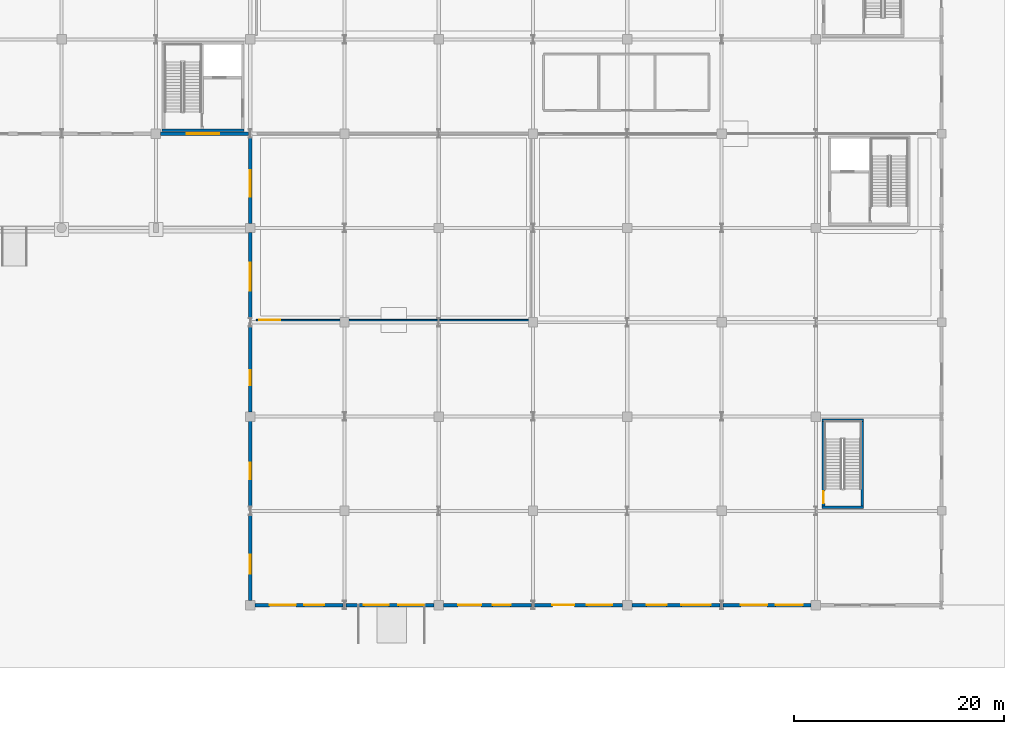
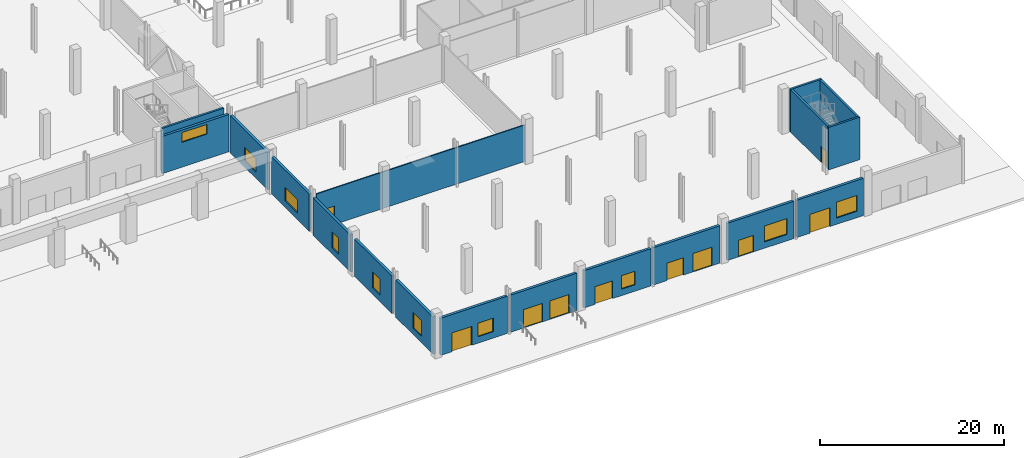
# One storey, part 33 of 58: 18 walls, 10 doors, 10 windows, 20 openings.
"""IFC4 building model written with IfcOpenShell, lengths in metres."""

from ifc_helpers import new_model, si_unit, direction, frame, frame_2d, origin, place, context, subcontext, project, spatial, rectangle, extrude, material, layer, layer_set, type_object, element, fill, save


model = new_model("IFC4")

# Units and contexts
model_context = context("Model", 3, precision=1e-05, world=origin(), true_north=direction((0.0, 1.0)))
body_context = subcontext(model_context, "Body", "Model", "MODEL_VIEW")
ifc_project = project(units=[si_unit("LENGTHUNIT", "METRE"), si_unit("AREAUNIT", "SQUARE_METRE"), si_unit("VOLUMEUNIT", "CUBIC_METRE"), si_unit("PLANEANGLEUNIT", "RADIAN"), si_unit("MASSUNIT", "GRAM", prefix="KILO")], contexts=[model_context])

# Site, building, storey
site_placement = place(None, origin())
site = spatial("IfcSite", under=ifc_project, at=site_placement, CompositionType="ELEMENT")
building_placement = place(site_placement, origin())
building = spatial("IfcBuilding", under=site, at=building_placement, Name="Barlavento Convention Centre", CompositionType="ELEMENT")
storey_placement = place(building_placement, origin())
storey = spatial("IfcBuildingStorey", under=building, at=storey_placement, Name="L00", CompositionType="ELEMENT", Elevation=0.0)

# Wall, opening, window
ifc_material_1 = material(Name="Macau dark grey granite cladding on Concrete C40/50", Category="masonry")
ifc_layer_1 = layer(ifc_material_1, 0.320068359375)
ifc_layer_set_1 = layer_set([ifc_layer_1], Name="ARC-WL-EXT-320")
wall_type_1 = type_object("IfcWallType", Name="ARC-WL-EXT-320", PredefinedType="SOLIDWALL", material=ifc_layer_set_1)
wall_1_placement = place(storey_placement, frame((126.0, 0.445068359375, 0.0), z_axis=(0.0, 0.0, 1.0), x_axis=(0.0, 1.0, 0.0)))
wall_1 = element("IfcWall", 1, at=wall_1_placement, inside=storey, type_object=wall_type_1, Name="L00 exterior wall EW01", PredefinedType="SOLIDWALL", context=body_context, shape_type="SweptSolid", body=[
    extrude(rectangle(XDim=8.15283203125, YDim=0.320068359375, at=frame_2d((4.076416015625, 0.0))), origin(), (0.0, 0.0, 1.0), 4.949951171875),
])
opening_1_placement = place(wall_1_placement, frame((2.554931640625, 0.0, 0.85009765625)))
opening_1 = element("IfcOpeningElement", 2, at=opening_1_placement, cuts=wall_1, Name="Opening WN06", PredefinedType="OPENING", context=body_context, shape_type="SweptSolid", body=[
    extrude(rectangle(XDim=1.800048828125, YDim=2.10009765625, at=frame_2d((0.89990234375, 1.050048828125))), frame((0.0, 0.169921875, 0.0), z_axis=(0.0, -1.0, 0.0), x_axis=(1.0, 0.0, 0.0)), (0.0, 0.0, 1.0), 0.340087890625),
])
ifc_material_2 = material(Name="Double-silver Low-E insulated glass", Category="glass")
window_type_1 = type_object("IfcWindowType", Name="ARC-WN-VIS-1800X2100", PartitioningType="DOUBLE_PANEL_VERTICAL", PredefinedType="WINDOW", material=ifc_material_2)
window_1_placement = place(opening_1_placement, origin())
window_1 = element("IfcWindow", 3, at=window_1_placement, inside=storey, type_object=window_type_1, Name="L00 exterior Low-E window WN06", OverallHeight=2.10009765625, OverallWidth=1.800048828125, PartitioningType="SINGLE_PANEL", PredefinedType="WINDOW", context=body_context, shape_type="SweptSolid", body=[
    extrude(rectangle(XDim=1.800048828125, YDim=2.10009765625, at=frame_2d((0.89990234375, 1.050048828125))), frame((0.0, 0.030029296875, 0.0), z_axis=(0.0, -1.0, 0.0), x_axis=(1.0, 0.0, 0.0)), (0.0, 0.0, 1.0), 0.06005859375),
])
fill(opening_1, window_1)

wall_2_placement = place(storey_placement, frame((126.0, 9.402099609375, 0.0), z_axis=(0.0, 0.0, 1.0), x_axis=(0.0, 1.0, 0.0)))
wall_2 = element("IfcWall", 4, at=wall_2_placement, inside=storey, type_object=wall_type_1, Name="L00 exterior wall EW01", PredefinedType="SOLIDWALL", context=body_context, shape_type="SweptSolid", body=[
    extrude(rectangle(XDim=8.15283203125, YDim=0.320068359375, at=frame_2d((4.076416015625, 0.0))), origin(), (0.0, 0.0, 1.0), 4.949951171875),
])
opening_2_placement = place(wall_2_placement, frame((2.597900390625, 0.0, 0.85009765625)))
opening_2 = element("IfcOpeningElement", 5, at=opening_2_placement, cuts=wall_2, Name="Opening WN07", PredefinedType="OPENING", context=body_context, shape_type="SweptSolid", body=[
    extrude(rectangle(XDim=1.60009765625, YDim=2.10009765625, at=frame_2d((0.800048828125, 1.050048828125))), frame((0.0, 0.169921875, 0.0), z_axis=(0.0, -1.0, 0.0), x_axis=(1.0, 0.0, 0.0)), (0.0, 0.0, 1.0), 0.340087890625),
])
window_type_2 = type_object("IfcWindowType", Name="ARC-WN-VIS-1600X2100", PartitioningType="SINGLE_PANEL", PredefinedType="WINDOW", material=ifc_material_2)
window_2_placement = place(opening_2_placement, origin())
window_2 = element("IfcWindow", 6, at=window_2_placement, inside=storey, type_object=window_type_2, Name="L00 exterior Low-E window WN07", OverallHeight=2.10009765625, OverallWidth=1.60009765625, PartitioningType="SINGLE_PANEL", PredefinedType="WINDOW", context=body_context, shape_type="SweptSolid", body=[
    extrude(rectangle(XDim=1.60009765625, YDim=2.10009765625, at=frame_2d((0.800048828125, 1.050048828125))), frame((0.0, 0.030029296875, 0.0), z_axis=(0.0, -1.0, 0.0), x_axis=(1.0, 0.0, 0.0)), (0.0, 0.0, 1.0), 0.06005859375),
])
fill(opening_2, window_2)

wall_3_placement = place(storey_placement, frame((126.0, 18.445068359375, 0.0), z_axis=(0.0, 0.0, 1.0), x_axis=(0.0, 1.0, 0.0)))
wall_3 = element("IfcWall", 7, at=wall_3_placement, inside=storey, type_object=wall_type_1, Name="L00 exterior wall EW01", PredefinedType="SOLIDWALL", context=body_context, shape_type="SweptSolid", body=[
    extrude(rectangle(XDim=8.15283203125, YDim=0.320068359375, at=frame_2d((4.076416015625, 0.0))), origin(), (0.0, 0.0, 1.0), 4.949951171875),
])
opening_3_placement = place(wall_3_placement, frame((2.554931640625, 0.0, 0.85009765625)))
opening_3 = element("IfcOpeningElement", 8, at=opening_3_placement, cuts=wall_3, Name="Opening WN08", PredefinedType="OPENING", context=body_context, shape_type="SweptSolid", body=[
    extrude(rectangle(XDim=1.39990234375, YDim=2.10009765625, at=frame_2d((0.699951171875, 1.050048828125))), frame((0.0, 0.169921875, 0.0), z_axis=(0.0, -1.0, 0.0), x_axis=(1.0, 0.0, 0.0)), (0.0, 0.0, 1.0), 0.340087890625),
])
window_type_3 = type_object("IfcWindowType", Name="ARC-WN-VIS-1400X2100", PartitioningType="SINGLE_PANEL", PredefinedType="WINDOW", material=ifc_material_2)
window_3_placement = place(opening_3_placement, origin())
window_3 = element("IfcWindow", 9, at=window_3_placement, inside=storey, type_object=window_type_3, Name="L00 exterior Low-E window WN08", OverallHeight=2.10009765625, OverallWidth=1.39990234375, PartitioningType="SINGLE_PANEL", PredefinedType="WINDOW", context=body_context, shape_type="SweptSolid", body=[
    extrude(rectangle(XDim=1.39990234375, YDim=2.10009765625, at=frame_2d((0.699951171875, 1.050048828125))), frame((0.0, 0.030029296875, 0.0), z_axis=(0.0, -1.0, 0.0), x_axis=(1.0, 0.0, 0.0)), (0.0, 0.0, 1.0), 0.06005859375),
])
fill(opening_3, window_3)

wall_4_placement = place(storey_placement, frame((126.0, 27.402099609375, 0.0), z_axis=(0.0, 0.0, 1.0), x_axis=(0.0, 1.0, 0.0)))
wall_4 = element("IfcWall", 10, at=wall_4_placement, inside=storey, type_object=wall_type_1, Name="L00 exterior wall EW01", PredefinedType="SOLIDWALL", context=body_context, shape_type="SweptSolid", body=[
    extrude(rectangle(XDim=8.15283203125, YDim=0.320068359375, at=frame_2d((4.076416015625, 0.0))), origin(), (0.0, 0.0, 1.0), 4.949951171875),
])
opening_4_placement = place(wall_4_placement, frame((2.597900390625, 0.0, 0.85009765625)))
opening_4 = element("IfcOpeningElement", 11, at=opening_4_placement, cuts=wall_4, Name="Opening WN09", PredefinedType="OPENING", context=body_context, shape_type="SweptSolid", body=[
    extrude(rectangle(XDim=2.699951171875, YDim=1.800048828125, at=frame_2d((1.35009765625, 0.89990234375))), frame((0.0, 0.169921875, 0.0), z_axis=(0.0, -1.0, 0.0), x_axis=(1.0, 0.0, 0.0)), (0.0, 0.0, 1.0), 0.340087890625),
])
window_type_4 = type_object("IfcWindowType", Name="ARC-WN-VIS-2700X1800", PartitioningType="TRIPLE_PANEL_VERTICAL", PredefinedType="WINDOW", material=ifc_material_2)
window_4_placement = place(opening_4_placement, origin())
window_4 = element("IfcWindow", 12, at=window_4_placement, inside=storey, type_object=window_type_4, Name="L00 exterior Low-E window WN09", OverallHeight=1.800048828125, OverallWidth=2.699951171875, PartitioningType="SINGLE_PANEL", PredefinedType="WINDOW", context=body_context, shape_type="SweptSolid", body=[
    extrude(rectangle(XDim=2.699951171875, YDim=1.800048828125, at=frame_2d((1.35009765625, 0.89990234375))), frame((0.0, 0.030029296875, 0.0), z_axis=(0.0, -1.0, 0.0), x_axis=(1.0, 0.0, 0.0)), (0.0, 0.0, 1.0), 0.06005859375),
])
fill(opening_4, window_4)

wall_5_placement = place(storey_placement, frame((126.0, 36.445068359375, 0.0), z_axis=(0.0, 0.0, 1.0), x_axis=(0.0, 1.0, 0.0)))
wall_5 = element("IfcWall", 13, at=wall_5_placement, inside=storey, type_object=wall_type_1, Name="L00 exterior wall EW01", PredefinedType="SOLIDWALL", context=body_context, shape_type="SweptSolid", body=[
    extrude(rectangle(XDim=8.15283203125, YDim=0.320068359375, at=frame_2d((4.076416015625, 0.0))), origin(), (0.0, 0.0, 1.0), 4.949951171875),
])
opening_5_placement = place(wall_5_placement, frame((2.554931640625, 0.0, 0.85009765625)))
opening_5 = element("IfcOpeningElement", 14, at=opening_5_placement, cuts=wall_5, Name="Opening WN10", PredefinedType="OPENING", context=body_context, shape_type="SweptSolid", body=[
    extrude(rectangle(XDim=2.5, YDim=1.800048828125, at=frame_2d((1.25, 0.89990234375))), frame((0.0, 0.169921875, 0.0), z_axis=(0.0, -1.0, 0.0), x_axis=(1.0, 0.0, 0.0)), (0.0, 0.0, 1.0), 0.340087890625),
])
window_type_5 = type_object("IfcWindowType", Name="ARC-WN-VIS-2500X1800", PartitioningType="DOUBLE_PANEL_VERTICAL", PredefinedType="WINDOW", material=ifc_material_2)
window_5_placement = place(opening_5_placement, origin())
window_5 = element("IfcWindow", 15, at=window_5_placement, inside=storey, type_object=window_type_5, Name="L00 exterior Low-E window WN10", OverallHeight=1.800048828125, OverallWidth=2.5, PartitioningType="SINGLE_PANEL", PredefinedType="WINDOW", context=body_context, shape_type="SweptSolid", body=[
    extrude(rectangle(XDim=2.5, YDim=1.800048828125, at=frame_2d((1.25, 0.89990234375))), frame((0.0, 0.030029296875, 0.0), z_axis=(0.0, -1.0, 0.0), x_axis=(1.0, 0.0, 0.0)), (0.0, 0.0, 1.0), 0.06005859375),
])
fill(opening_5, window_5)

wall_6_placement = place(storey_placement, frame((117.445068359375, 45.0, 0.0), z_axis=(0.0, 0.0, 1.0), x_axis=(1.0, 0.0, 0.0)))
wall_6 = element("IfcWall", 16, at=wall_6_placement, inside=storey, type_object=wall_type_1, Name="L00 exterior wall EW01", PredefinedType="SOLIDWALL", context=body_context, shape_type="SweptSolid", body=[
    extrude(rectangle(XDim=8.408447265625, YDim=0.320068359375, at=frame_2d((4.2041015625, 0.0))), origin(), (0.0, 0.0, 1.0), 4.949951171875),
])
opening_6_placement = place(wall_6_placement, frame((2.5048828125, 0.0, 3.300048828125)))
opening_6 = element("IfcOpeningElement", 17, at=opening_6_placement, cuts=wall_6, Name="Opening WN15", PredefinedType="OPENING", context=body_context, shape_type="SweptSolid", body=[
    extrude(rectangle(XDim=3.10009765625, YDim=1.300048828125, at=frame_2d((1.550048828125, 0.64990234375))), frame((0.0, 0.169921875, 0.0), z_axis=(0.0, -1.0, 0.0), x_axis=(1.0, 0.0, 0.0)), (0.0, 0.0, 1.0), 0.340087890625),
])
window_type_6 = type_object("IfcWindowType", Name="ARC-WN-CLER-3100X1300", PartitioningType="TRIPLE_PANEL_VERTICAL", PredefinedType="WINDOW", material=ifc_material_2)
window_6_placement = place(opening_6_placement, origin())
window_6 = element("IfcWindow", 18, at=window_6_placement, inside=storey, type_object=window_type_6, Name="L00 exterior Low-E window WN15", OverallHeight=1.300048828125, OverallWidth=3.10009765625, PartitioningType="SINGLE_PANEL", PredefinedType="WINDOW", context=body_context, shape_type="SweptSolid", body=[
    extrude(rectangle(XDim=3.10009765625, YDim=1.300048828125, at=frame_2d((1.550048828125, 0.64990234375))), frame((0.0, 0.030029296875, 0.0), z_axis=(0.0, -1.0, 0.0), x_axis=(1.0, 0.0, 0.0)), (0.0, 0.0, 1.0), 0.06005859375),
])
fill(opening_6, window_6)

# Wall, openings, door, window
wall_7_placement = place(storey_placement, frame((126.445068359375, 0.0, 0.0), z_axis=(0.0, 0.0, 1.0), x_axis=(1.0, 0.0, 0.0)))
wall_7 = element("IfcWall", 19, at=wall_7_placement, inside=storey, type_object=wall_type_1, Name="L00 exterior wall EW01", PredefinedType="SOLIDWALL", context=body_context, shape_type="SweptSolid", body=[
    extrude(rectangle(XDim=8.408447265625, YDim=0.320068359375, at=frame_2d((4.2041015625, 0.0))), origin(), (0.0, 0.0, 1.0), 4.949951171875),
])
opening_7_placement = place(wall_7_placement, frame((1.405029296875, 0.0, 0.0)))
opening_7 = element("IfcOpeningElement", 20, at=opening_7_placement, cuts=wall_7, Name="Opening EX-21", PredefinedType="OPENING", context=body_context, shape_type="SweptSolid", body=[
    extrude(rectangle(XDim=2.5, YDim=2.5, at=frame_2d((1.25, 1.25))), frame((0.0, 0.169921875, 0.0), z_axis=(0.0, -1.0, 0.0), x_axis=(1.0, 0.0, 0.0)), (0.0, 0.0, 1.0), 0.340087890625),
])
opening_8_placement = place(wall_7_placement, frame((4.705078125, 0.0, 0.85009765625)))
opening_8 = element("IfcOpeningElement", 21, at=opening_8_placement, cuts=wall_7, Name="Opening WN13", PredefinedType="OPENING", context=body_context, shape_type="SweptSolid", body=[
    extrude(rectangle(XDim=1.89990234375, YDim=1.800048828125, at=frame_2d((0.949951171875, 0.89990234375))), frame((0.0, 0.169921875, 0.0), z_axis=(0.0, -1.0, 0.0), x_axis=(1.0, 0.0, 0.0)), (0.0, 0.0, 1.0), 0.340087890625),
])
ifc_material_3 = material(Name="Anodized aluminium and tempered glass", Category="aluminium")
door_type_1 = type_object("IfcDoorType", Name="ARC-DR-EXIT-2500X2500", OperationType="DOUBLE_DOOR_SINGLE_SWING", PredefinedType="DOOR", material=ifc_material_3)
door_1_placement = place(opening_7_placement, origin())
door_1 = element("IfcDoor", 22, at=door_1_placement, inside=storey, type_object=door_type_1, Name="DR-EXT-L00-0021 Pedestrian exit door EX-21", OperationType="DOUBLE_DOOR_SINGLE_SWING", OverallHeight=2.5, OverallWidth=2.5, PredefinedType="DOOR", context=body_context, shape_type="SweptSolid", body=[
    extrude(rectangle(XDim=2.5, YDim=2.5, at=frame_2d((1.25, 1.25))), frame((0.0, 0.02490234375, 0.0), z_axis=(0.0, -1.0, 0.0), x_axis=(1.0, 0.0, 0.0)), (0.0, 0.0, 1.0), 0.050048828125),
])
fill(opening_7, door_1)
window_type_7 = type_object("IfcWindowType", Name="ARC-WN-VIS-1900X1800", PartitioningType="DOUBLE_PANEL_VERTICAL", PredefinedType="WINDOW", material=ifc_material_2)
window_7_placement = place(opening_8_placement, origin())
window_7 = element("IfcWindow", 23, at=window_7_placement, inside=storey, type_object=window_type_7, Name="L00 exterior Low-E window WN13", OverallHeight=1.800048828125, OverallWidth=1.89990234375, PartitioningType="SINGLE_PANEL", PredefinedType="WINDOW", context=body_context, shape_type="SweptSolid", body=[
    extrude(rectangle(XDim=1.89990234375, YDim=1.800048828125, at=frame_2d((0.949951171875, 0.89990234375))), frame((0.0, 0.030029296875, 0.0), z_axis=(0.0, -1.0, 0.0), x_axis=(1.0, 0.0, 0.0)), (0.0, 0.0, 1.0), 0.06005859375),
])
fill(opening_8, window_7)

# Wall, openings, doors
wall_8_placement = place(storey_placement, frame((135.146484375, 0.0, 0.0), z_axis=(0.0, 0.0, 1.0), x_axis=(1.0, 0.0, 0.0)))
wall_8 = element("IfcWall", 24, at=wall_8_placement, inside=storey, type_object=wall_type_1, Name="L00 exterior wall EW01", PredefinedType="SOLIDWALL", context=body_context, shape_type="SweptSolid", body=[
    extrude(rectangle(XDim=8.408447265625, YDim=0.320068359375, at=frame_2d((4.2041015625, 0.0))), origin(), (0.0, 0.0, 1.0), 4.949951171875),
])
opening_9_placement = place(wall_8_placement, frame((1.70361328125, 0.0, 0.0)))
opening_9 = element("IfcOpeningElement", 25, at=opening_9_placement, cuts=wall_8, Name="Opening EX-22", PredefinedType="OPENING", context=body_context, shape_type="SweptSolid", body=[
    extrude(rectangle(XDim=2.39990234375, YDim=2.449951171875, at=frame_2d((1.199951171875, 1.22509765625))), frame((0.0, 0.169921875, 0.0), z_axis=(0.0, -1.0, 0.0), x_axis=(1.0, 0.0, 0.0)), (0.0, 0.0, 1.0), 0.340087890625),
])
opening_10_placement = place(wall_8_placement, frame((5.00341796875, 0.0, 0.0)))
opening_10 = element("IfcOpeningElement", 26, at=opening_10_placement, cuts=wall_8, Name="Opening EX-23", PredefinedType="OPENING", context=body_context, shape_type="SweptSolid", body=[
    extrude(rectangle(XDim=2.39990234375, YDim=2.449951171875, at=frame_2d((1.199951171875, 1.22509765625))), frame((0.0, 0.169921875, 0.0), z_axis=(0.0, -1.0, 0.0), x_axis=(1.0, 0.0, 0.0)), (0.0, 0.0, 1.0), 0.340087890625),
])
door_type_2 = type_object("IfcDoorType", Name="ARC-DR-EXIT-2400X2450", OperationType="DOUBLE_DOOR_SINGLE_SWING", PredefinedType="DOOR", material=ifc_material_3)
door_2_placement = place(opening_9_placement, origin())
door_2 = element("IfcDoor", 27, at=door_2_placement, inside=storey, type_object=door_type_2, Name="DR-EXT-L00-0022 Pedestrian exit door EX-22", OperationType="DOUBLE_DOOR_SINGLE_SWING", OverallHeight=2.449951171875, OverallWidth=2.39990234375, PredefinedType="DOOR", context=body_context, shape_type="SweptSolid", body=[
    extrude(rectangle(XDim=2.39990234375, YDim=2.449951171875, at=frame_2d((1.199951171875, 1.22509765625))), frame((0.0, 0.02490234375, 0.0), z_axis=(0.0, -1.0, 0.0), x_axis=(1.0, 0.0, 0.0)), (0.0, 0.0, 1.0), 0.050048828125),
])
fill(opening_9, door_2)
door_3_placement = place(opening_10_placement, origin())
door_3 = element("IfcDoor", 28, at=door_3_placement, inside=storey, type_object=door_type_2, Name="DR-EXT-L00-0023 Pedestrian exit door EX-23", OperationType="DOUBLE_DOOR_SINGLE_SWING", OverallHeight=2.449951171875, OverallWidth=2.39990234375, PredefinedType="DOOR", context=body_context, shape_type="SweptSolid", body=[
    extrude(rectangle(XDim=2.39990234375, YDim=2.449951171875, at=frame_2d((1.199951171875, 1.22509765625))), frame((0.0, 0.02490234375, 0.0), z_axis=(0.0, -1.0, 0.0), x_axis=(1.0, 0.0, 0.0)), (0.0, 0.0, 1.0), 0.050048828125),
])
fill(opening_10, door_3)

# Wall, openings, door, window
wall_9_placement = place(storey_placement, frame((144.445068359375, 0.0, 0.0), z_axis=(0.0, 0.0, 1.0), x_axis=(1.0, 0.0, 0.0)))
wall_9 = element("IfcWall", 29, at=wall_9_placement, inside=storey, type_object=wall_type_1, Name="L00 exterior wall EW01", PredefinedType="SOLIDWALL", context=body_context, shape_type="SweptSolid", body=[
    extrude(rectangle(XDim=8.408447265625, YDim=0.320068359375, at=frame_2d((4.2041015625, 0.0))), origin(), (0.0, 0.0, 1.0), 4.949951171875),
])
opening_11_placement = place(wall_9_placement, frame((1.405029296875, 0.0, 0.0)))
opening_11 = element("IfcOpeningElement", 30, at=opening_11_placement, cuts=wall_9, Name="Opening EX-24", PredefinedType="OPENING", context=body_context, shape_type="SweptSolid", body=[
    extrude(rectangle(XDim=2.199951171875, YDim=2.35009765625, at=frame_2d((1.10009765625, 1.175048828125))), frame((0.0, 0.169921875, 0.0), z_axis=(0.0, -1.0, 0.0), x_axis=(1.0, 0.0, 0.0)), (0.0, 0.0, 1.0), 0.340087890625),
])
opening_12_placement = place(wall_9_placement, frame((4.705078125, 0.0, 0.85009765625)))
opening_12 = element("IfcOpeningElement", 31, at=opening_12_placement, cuts=wall_9, Name="Opening WN14", PredefinedType="OPENING", context=body_context, shape_type="SweptSolid", body=[
    extrude(rectangle(XDim=1.699951171875, YDim=1.800048828125, at=frame_2d((0.85009765625, 0.89990234375))), frame((0.0, 0.169921875, 0.0), z_axis=(0.0, -1.0, 0.0), x_axis=(1.0, 0.0, 0.0)), (0.0, 0.0, 1.0), 0.340087890625),
])
door_type_3 = type_object("IfcDoorType", Name="ARC-DR-EXIT-2200X2350", OperationType="DOUBLE_DOOR_SINGLE_SWING", PredefinedType="DOOR", material=ifc_material_3)
door_4_placement = place(opening_11_placement, origin())
door_4 = element("IfcDoor", 32, at=door_4_placement, inside=storey, type_object=door_type_3, Name="DR-EXT-L00-0024 Pedestrian exit door EX-24", OperationType="DOUBLE_DOOR_SINGLE_SWING", OverallHeight=2.35009765625, OverallWidth=2.199951171875, PredefinedType="DOOR", context=body_context, shape_type="SweptSolid", body=[
    extrude(rectangle(XDim=2.199951171875, YDim=2.35009765625, at=frame_2d((1.10009765625, 1.175048828125))), frame((0.0, 0.02490234375, 0.0), z_axis=(0.0, -1.0, 0.0), x_axis=(1.0, 0.0, 0.0)), (0.0, 0.0, 1.0), 0.050048828125),
])
fill(opening_11, door_4)
window_type_8 = type_object("IfcWindowType", Name="ARC-WN-VIS-1700X1800", PartitioningType="SINGLE_PANEL", PredefinedType="WINDOW", material=ifc_material_2)
window_8_placement = place(opening_12_placement, origin())
window_8 = element("IfcWindow", 33, at=window_8_placement, inside=storey, type_object=window_type_8, Name="L00 exterior Low-E window WN14", OverallHeight=1.800048828125, OverallWidth=1.699951171875, PartitioningType="SINGLE_PANEL", PredefinedType="WINDOW", context=body_context, shape_type="SweptSolid", body=[
    extrude(rectangle(XDim=1.699951171875, YDim=1.800048828125, at=frame_2d((0.85009765625, 0.89990234375))), frame((0.0, 0.030029296875, 0.0), z_axis=(0.0, -1.0, 0.0), x_axis=(1.0, 0.0, 0.0)), (0.0, 0.0, 1.0), 0.06005859375),
])
fill(opening_12, window_8)

# Wall, openings, doors
wall_10_placement = place(storey_placement, frame((153.146484375, 0.0, 0.0), z_axis=(0.0, 0.0, 1.0), x_axis=(1.0, 0.0, 0.0)))
wall_10 = element("IfcWall", 34, at=wall_10_placement, inside=storey, type_object=wall_type_1, Name="L00 exterior wall EW01", PredefinedType="SOLIDWALL", context=body_context, shape_type="SweptSolid", body=[
    extrude(rectangle(XDim=8.408447265625, YDim=0.320068359375, at=frame_2d((4.2041015625, 0.0))), origin(), (0.0, 0.0, 1.0), 4.949951171875),
])
opening_13_placement = place(wall_10_placement, frame((1.70361328125, 0.0, 0.0)))
opening_13 = element("IfcOpeningElement", 35, at=opening_13_placement, cuts=wall_10, Name="Opening EX-25", PredefinedType="OPENING", context=body_context, shape_type="SweptSolid", body=[
    extrude(rectangle(XDim=2.10009765625, YDim=2.300048828125, at=frame_2d((1.050048828125, 1.14990234375))), frame((0.0, 0.169921875, 0.0), z_axis=(0.0, -1.0, 0.0), x_axis=(1.0, 0.0, 0.0)), (0.0, 0.0, 1.0), 0.340087890625),
])
opening_14_placement = place(wall_10_placement, frame((5.00341796875, 0.0, 0.0)))
opening_14 = element("IfcOpeningElement", 36, at=opening_14_placement, cuts=wall_10, Name="Opening EX-26", PredefinedType="OPENING", context=body_context, shape_type="SweptSolid", body=[
    extrude(rectangle(XDim=2.39990234375, YDim=2.449951171875, at=frame_2d((1.199951171875, 1.22509765625))), frame((0.0, 0.169921875, 0.0), z_axis=(0.0, -1.0, 0.0), x_axis=(1.0, 0.0, 0.0)), (0.0, 0.0, 1.0), 0.340087890625),
])
ifc_material_4 = material(Name="Painted galvanized steel", Category="steel")
door_type_4 = type_object("IfcDoorType", Name="ARC-DR-EXIT-2100X2300", OperationType="DOUBLE_DOOR_SINGLE_SWING", PredefinedType="DOOR", material=ifc_material_4)
door_5_placement = place(opening_13_placement, origin())
door_5 = element("IfcDoor", 37, at=door_5_placement, inside=storey, type_object=door_type_4, Name="DR-EXT-L00-0025 Pedestrian exit door EX-25", OperationType="DOUBLE_DOOR_SINGLE_SWING", OverallHeight=2.300048828125, OverallWidth=2.10009765625, PredefinedType="DOOR", context=body_context, shape_type="SweptSolid", body=[
    extrude(rectangle(XDim=2.10009765625, YDim=2.300048828125, at=frame_2d((1.050048828125, 1.14990234375))), frame((0.0, 0.02490234375, 0.0), z_axis=(0.0, -1.0, 0.0), x_axis=(1.0, 0.0, 0.0)), (0.0, 0.0, 1.0), 0.050048828125),
])
fill(opening_13, door_5)
door_6_placement = place(opening_14_placement, origin())
door_6 = element("IfcDoor", 38, at=door_6_placement, inside=storey, type_object=door_type_2, Name="DR-EXT-L00-0026 Pedestrian exit door EX-26", OperationType="DOUBLE_DOOR_SINGLE_SWING", OverallHeight=2.449951171875, OverallWidth=2.39990234375, PredefinedType="DOOR", context=body_context, shape_type="SweptSolid", body=[
    extrude(rectangle(XDim=2.39990234375, YDim=2.449951171875, at=frame_2d((1.199951171875, 1.22509765625))), frame((0.0, 0.02490234375, 0.0), z_axis=(0.0, -1.0, 0.0), x_axis=(1.0, 0.0, 0.0)), (0.0, 0.0, 1.0), 0.050048828125),
])
fill(opening_14, door_6)

# Wall, openings, door, window
wall_11_placement = place(storey_placement, frame((162.445068359375, 0.0, 0.0), z_axis=(0.0, 0.0, 1.0), x_axis=(1.0, 0.0, 0.0)))
wall_11 = element("IfcWall", 39, at=wall_11_placement, inside=storey, type_object=wall_type_1, Name="L00 exterior wall EW01", PredefinedType="SOLIDWALL", context=body_context, shape_type="SweptSolid", body=[
    extrude(rectangle(XDim=8.408447265625, YDim=0.320068359375, at=frame_2d((4.2041015625, 0.0))), origin(), (0.0, 0.0, 1.0), 4.949951171875),
])
opening_15_placement = place(wall_11_placement, frame((1.405029296875, 0.0, 0.0)))
opening_15 = element("IfcOpeningElement", 40, at=opening_15_placement, cuts=wall_11, Name="Opening EX-27", PredefinedType="OPENING", context=body_context, shape_type="SweptSolid", body=[
    extrude(rectangle(XDim=1.89990234375, YDim=2.199951171875, at=frame_2d((0.949951171875, 1.10009765625))), frame((0.0, 0.169921875, 0.0), z_axis=(0.0, -1.0, 0.0), x_axis=(1.0, 0.0, 0.0)), (0.0, 0.0, 1.0), 0.340087890625),
])
opening_16_placement = place(wall_11_placement, frame((4.705078125, 0.0, 0.85009765625)))
opening_16 = element("IfcOpeningElement", 41, at=opening_16_placement, cuts=wall_11, Name="Opening WN01", PredefinedType="OPENING", context=body_context, shape_type="SweptSolid", body=[
    extrude(rectangle(XDim=2.800048828125, YDim=2.10009765625, at=frame_2d((1.39990234375, 1.050048828125))), frame((0.0, 0.169921875, 0.0), z_axis=(0.0, -1.0, 0.0), x_axis=(1.0, 0.0, 0.0)), (0.0, 0.0, 1.0), 0.340087890625),
])
door_type_5 = type_object("IfcDoorType", Name="ARC-DR-EXIT-1900X2200", OperationType="DOUBLE_DOOR_SINGLE_SWING", PredefinedType="DOOR", material=ifc_material_4)
door_7_placement = place(opening_15_placement, origin())
door_7 = element("IfcDoor", 42, at=door_7_placement, inside=storey, type_object=door_type_5, Name="DR-EXT-L00-0027 Pedestrian exit door EX-27", OperationType="DOUBLE_DOOR_SINGLE_SWING", OverallHeight=2.199951171875, OverallWidth=1.89990234375, PredefinedType="DOOR", context=body_context, shape_type="SweptSolid", body=[
    extrude(rectangle(XDim=1.89990234375, YDim=2.199951171875, at=frame_2d((0.949951171875, 1.10009765625))), frame((0.0, 0.02490234375, 0.0), z_axis=(0.0, -1.0, 0.0), x_axis=(1.0, 0.0, 0.0)), (0.0, 0.0, 1.0), 0.050048828125),
])
fill(opening_15, door_7)
window_type_9 = type_object("IfcWindowType", Name="ARC-WN-VIS-2800X2100", PartitioningType="TRIPLE_PANEL_VERTICAL", PredefinedType="WINDOW", material=ifc_material_2)
window_9_placement = place(opening_16_placement, origin())
window_9 = element("IfcWindow", 43, at=window_9_placement, inside=storey, type_object=window_type_9, Name="L00 exterior Low-E window WN01", OverallHeight=2.10009765625, OverallWidth=2.800048828125, PartitioningType="SINGLE_PANEL", PredefinedType="WINDOW", context=body_context, shape_type="SweptSolid", body=[
    extrude(rectangle(XDim=2.800048828125, YDim=2.10009765625, at=frame_2d((1.39990234375, 1.050048828125))), frame((0.0, 0.030029296875, 0.0), z_axis=(0.0, -1.0, 0.0), x_axis=(1.0, 0.0, 0.0)), (0.0, 0.0, 1.0), 0.06005859375),
])
fill(opening_16, window_9)

wall_12_placement = place(storey_placement, frame((171.146484375, 0.0, 0.0), z_axis=(0.0, 0.0, 1.0), x_axis=(1.0, 0.0, 0.0)))
wall_12 = element("IfcWall", 44, at=wall_12_placement, inside=storey, type_object=wall_type_1, Name="L00 exterior wall EW01", PredefinedType="SOLIDWALL", context=body_context, shape_type="SweptSolid", body=[
    extrude(rectangle(XDim=8.408447265625, YDim=0.320068359375, at=frame_2d((4.2041015625, 0.0))), origin(), (0.0, 0.0, 1.0), 4.949951171875),
])
opening_17_placement = place(wall_12_placement, frame((1.70361328125, 0.0, 0.0)))
opening_17 = element("IfcOpeningElement", 45, at=opening_17_placement, cuts=wall_12, Name="Opening EX-28", PredefinedType="OPENING", context=body_context, shape_type="SweptSolid", body=[
    extrude(rectangle(XDim=2.5, YDim=2.5, at=frame_2d((1.25, 1.25))), frame((0.0, 0.169921875, 0.0), z_axis=(0.0, -1.0, 0.0), x_axis=(1.0, 0.0, 0.0)), (0.0, 0.0, 1.0), 0.340087890625),
])
opening_18_placement = place(wall_12_placement, frame((5.00341796875, 0.0, 0.85009765625)))
opening_18 = element("IfcOpeningElement", 46, at=opening_18_placement, cuts=wall_12, Name="Opening WN02", PredefinedType="OPENING", context=body_context, shape_type="SweptSolid", body=[
    extrude(rectangle(XDim=2.60009765625, YDim=2.10009765625, at=frame_2d((1.300048828125, 1.050048828125))), frame((0.0, 0.169921875, 0.0), z_axis=(0.0, -1.0, 0.0), x_axis=(1.0, 0.0, 0.0)), (0.0, 0.0, 1.0), 0.340087890625),
])
door_8_placement = place(opening_17_placement, origin())
door_8 = element("IfcDoor", 47, at=door_8_placement, inside=storey, type_object=door_type_1, Name="DR-EXT-L00-0028 Pedestrian exit door EX-28", OperationType="DOUBLE_DOOR_SINGLE_SWING", OverallHeight=2.5, OverallWidth=2.5, PredefinedType="DOOR", context=body_context, shape_type="SweptSolid", body=[
    extrude(rectangle(XDim=2.5, YDim=2.5, at=frame_2d((1.25, 1.25))), frame((0.0, 0.02490234375, 0.0), z_axis=(0.0, -1.0, 0.0), x_axis=(1.0, 0.0, 0.0)), (0.0, 0.0, 1.0), 0.050048828125),
])
fill(opening_17, door_8)
window_type_10 = type_object("IfcWindowType", Name="ARC-WN-VIS-2600X2100", PartitioningType="DOUBLE_PANEL_VERTICAL", PredefinedType="WINDOW", material=ifc_material_2)
window_10_placement = place(opening_18_placement, origin())
window_10 = element("IfcWindow", 48, at=window_10_placement, inside=storey, type_object=window_type_10, Name="L00 exterior Low-E window WN02", OverallHeight=2.10009765625, OverallWidth=2.60009765625, PartitioningType="SINGLE_PANEL", PredefinedType="WINDOW", context=body_context, shape_type="SweptSolid", body=[
    extrude(rectangle(XDim=2.60009765625, YDim=2.10009765625, at=frame_2d((1.300048828125, 1.050048828125))), frame((0.0, 0.030029296875, 0.0), z_axis=(0.0, -1.0, 0.0), x_axis=(1.0, 0.0, 0.0)), (0.0, 0.0, 1.0), 0.06005859375),
])
fill(opening_18, window_10)

# Wall, opening, door
ifc_material_5 = material(Name="Insulated gypsum partition")
ifc_layer_2 = layer(ifc_material_5, 0.139892578125)
ifc_layer_set_2 = layer_set([ifc_layer_2], Name="ARC-WL-PART-140")
wall_type_2 = type_object("IfcWallType", Name="ARC-WL-PART-140", PredefinedType="PARTITIONING", material=ifc_layer_set_2)
wall_13_placement = place(storey_placement, frame((126.60009765625, 27.199951171875, 0.0), z_axis=(0.0, 0.0, 1.0), x_axis=(1.0, 0.0, 0.0)))
wall_13 = element("IfcWall", 49, at=wall_13_placement, inside=storey, type_object=wall_type_2, Name="L00 interior wall PT-04", PredefinedType="PARTITIONING", context=body_context, shape_type="SweptSolid", body=[
    extrude(rectangle(XDim=26.199951171875, YDim=0.139892578125, at=frame_2d((13.10009765625, 0.0))), origin(), (0.0, 0.0, 1.0), 4.85009765625),
])
opening_19_placement = place(wall_13_placement, frame((0.25, 0.0, 0.0)))
opening_19 = element("IfcOpeningElement", 50, at=opening_19_placement, cuts=wall_13, Name="Opening ID-01", PredefinedType="OPENING", context=body_context, shape_type="SweptSolid", body=[
    extrude(rectangle(XDim=2.0, YDim=2.449951171875, at=frame_2d((1.0, 1.22509765625))), frame((0.0, 0.079833984375, 0.0), z_axis=(0.0, -1.0, 0.0), x_axis=(1.0, 0.0, 0.0)), (0.0, 0.0, 1.0), 0.159912109375),
])
ifc_material_6 = material(Name="Timber veneer acoustic core", Category="wood")
door_type_6 = type_object("IfcDoorType", Name="ARC-DR-HALL-2000X2450", OperationType="DOUBLE_DOOR_SINGLE_SWING", PredefinedType="DOOR", material=ifc_material_6)
door_9_placement = place(opening_19_placement, origin())
door_9 = element("IfcDoor", 51, at=door_9_placement, inside=storey, type_object=door_type_6, Name="DR-INT-L00-0216 L00 interior door ID-01", OperationType="DOUBLE_DOOR_SINGLE_SWING", OverallHeight=2.449951171875, OverallWidth=2.0, PredefinedType="DOOR", context=body_context, shape_type="SweptSolid", body=[
    extrude(rectangle(XDim=2.0, YDim=2.449951171875, at=frame_2d((1.0, 1.22509765625))), frame((0.0, 0.02490234375, 0.0), z_axis=(0.0, -1.0, 0.0), x_axis=(1.0, 0.0, 0.0)), (0.0, 0.0, 1.0), 0.050048828125),
])
fill(opening_19, door_9)

# Wall
ifc_material_7 = material(Name="Concrete C50/60", Category="concrete")
ifc_layer_3 = layer(ifc_material_7, 0.25)
ifc_layer_set_3 = layer_set([ifc_layer_3], Name="STR-WL-CORE-250")
wall_type_3 = type_object("IfcWallType", Name="STR-WL-CORE-250", PredefinedType="SHEAR", material=ifc_layer_set_3)
wall_14_placement = place(storey_placement, frame((117.60009765625, 45.344970703125, 0.0), z_axis=(0.0, 0.0, 1.0), x_axis=(1.0, 0.0, 0.0)))
element("IfcWall", 52, at=wall_14_placement, inside=storey, type_object=wall_type_3, Name="L00 interior wall CW-02", PredefinedType="SHEAR", context=body_context, shape_type="SweptSolid", body=[
    extrude(rectangle(XDim=7.7998046875, YDim=0.25, at=frame_2d((3.89990234375, 0.0))), origin(), (0.0, 0.0, 1.0), 5.7099609375),
])

# Wall, opening, door
wall_15_placement = place(storey_placement, frame((180.72509765625, 9.469970703125, 0.0), z_axis=(0.0, 0.0, 1.0), x_axis=(0.0, 1.0, 0.0)))
wall_15 = element("IfcWall", 53, at=wall_15_placement, inside=storey, type_object=wall_type_3, Name="L00 interior wall CW-02", PredefinedType="SHEAR", context=body_context, shape_type="SweptSolid", body=[
    extrude(rectangle(XDim=8.06005859375, YDim=0.25, at=frame_2d((4.030029296875, 0.0))), origin(), (0.0, 0.0, 1.0), 5.639892578125),
])
opening_20_placement = place(wall_15_placement, frame((0.25, 0.0, 0.0)))
opening_20 = element("IfcOpeningElement", 54, at=opening_20_placement, cuts=wall_15, Name="Opening FD-03", PredefinedType="OPENING", context=body_context, shape_type="SweptSolid", body=[
    extrude(rectangle(XDim=1.14990234375, YDim=2.14990234375, at=frame_2d((0.574951171875, 1.074951171875))), frame((0.0, 0.135009765625, 0.0), z_axis=(0.0, -1.0, 0.0), x_axis=(1.0, 0.0, 0.0)), (0.0, 0.0, 1.0), 0.27001953125),
])
door_type_7 = type_object("IfcDoorType", Name="ARC-DR-FIRE-1150X2150", OperationType="NOTDEFINED", PredefinedType="DOOR", material=ifc_material_4)
door_10_placement = place(opening_20_placement, origin())
door_10 = element("IfcDoor", 55, at=door_10_placement, inside=storey, type_object=door_type_7, Name="DR-INT-L00-0180 L00 ST14 stair fire door FD-03", OperationType="SINGLE_SWING_RIGHT", OverallHeight=2.14990234375, OverallWidth=1.14990234375, PredefinedType="DOOR", context=body_context, shape_type="SweptSolid", body=[
    extrude(rectangle(XDim=1.14990234375, YDim=2.14990234375, at=frame_2d((0.574951171875, 1.074951171875))), frame((0.0, 0.02490234375, 0.0), z_axis=(0.0, -1.0, 0.0), x_axis=(1.0, 0.0, 0.0)), (0.0, 0.0, 1.0), 0.050048828125),
])
fill(opening_20, door_10)

# Walls
wall_16_placement = place(storey_placement, frame((184.4150390625, 9.469970703125, 0.0), z_axis=(0.0, 0.0, 1.0), x_axis=(0.0, 1.0, 0.0)))
element("IfcWall", 56, at=wall_16_placement, inside=storey, type_object=wall_type_3, Name="L00 interior wall CW-02", PredefinedType="SHEAR", context=body_context, shape_type="SweptSolid", body=[
    extrude(rectangle(XDim=8.06005859375, YDim=0.25, at=frame_2d((4.030029296875, 0.0))), origin(), (0.0, 0.0, 1.0), 5.639892578125),
])
for number, where, z_axis, x_axis, name in (
    (57, (180.60009765625, 9.344970703125, 0.0), (0.0, 0.0, 1.0), (1.0, 0.0, 0.0), "L00 interior wall CW-02"),
    (58, (180.60009765625, 17.655029296875, 0.0), (0.0, 0.0, 1.0), (1.0, 0.0, 0.0), "L00 interior wall CW-02"),
):
    element("IfcWall", number, at=place(storey_placement, frame(where, z_axis=z_axis, x_axis=x_axis)), inside=storey, type_object=wall_type_3, Name=name, PredefinedType="SHEAR", context=body_context, shape_type="SweptSolid", body=[
        extrude(rectangle(XDim=3.93994140625, YDim=0.25, at=frame_2d((1.969970703125, 0.0))), origin(), (0.0, 0.0, 1.0), 5.639892578125),
    ])

save(model, "model.ifc")
